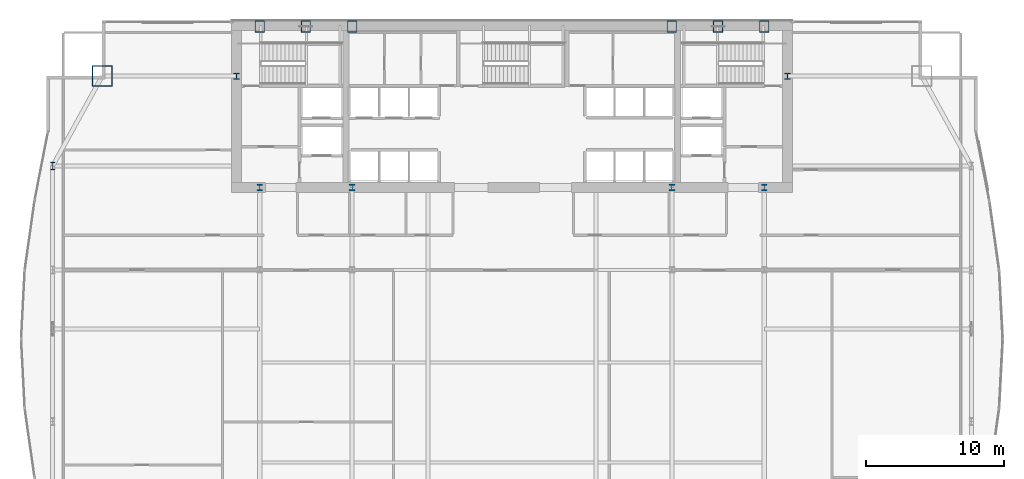
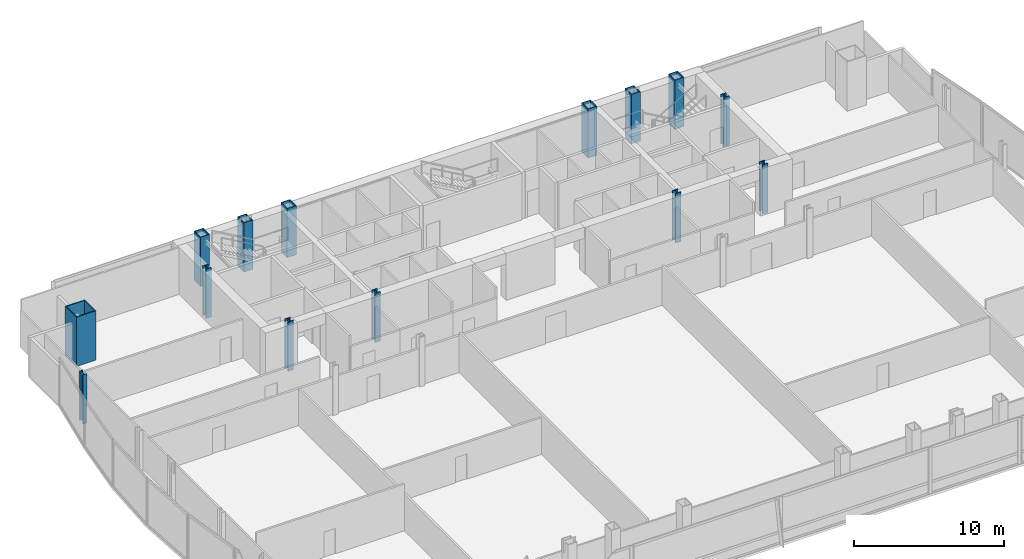
# One storey, part 3 of 34: 14 columns.
"""IFC4 building model written with IfcOpenShell, lengths in metres."""

import ifcopenshell
import ifcopenshell.guid

model = None  # the IFC model being written
_history = None  # IfcOwnerHistory: only IFC2X3 demands one
_inside = {}  # id of a spatial element -> (the spatial element, [elements in it])
_under = {}  # id of a project, library or spatial element -> (it, [spatial elements below it])
_declared = {}  # id of a project -> (the project, [libraries it declares])
_typed = {}  # id of a type object -> (the type object, [elements of that type])
_made_of = {}  # id of a material, layer set ... -> (it, [elements and type objects made of it])


def new_model(schema):
    """Start an empty IFC model of exactly this schema.

    Asked for "IFC4X3", IfcOpenShell would pick the latest addendum, in which some entities
    have other attributes; the version numbers below select the first issue.
    IFC2X3 requires an IfcOwnerHistory on every rooted entity: one is made here for all.
    """
    global model, _history
    if schema == "IFC4X3":
        model = ifcopenshell.file(schema_version=(4, 3, 0, 0))
    else:
        model = ifcopenshell.file(schema=schema)
    _inside.clear()
    _under.clear()
    _declared.clear()
    _typed.clear()
    _made_of.clear()
    _history = None
    if model.schema == "IFC2X3":
        org = make("IfcOrganization", Name="unknown")
        user = make(
            "IfcPersonAndOrganization",
            ThePerson=make("IfcPerson", FamilyName="unknown"),
            TheOrganization=org,
        )
        app = make(
            "IfcApplication",
            ApplicationDeveloper=org,
            Version="unknown",
            ApplicationFullName="unknown",
            ApplicationIdentifier="unknown",
        )
        _history = make(
            "IfcOwnerHistory",
            OwningUser=user,
            OwningApplication=app,
            ChangeAction="ADDED",
            CreationDate=0,
        )
    return model


def make(cls, **values):
    """One entity of the class cls with the attributes given. An attribute that is None is left unset."""
    return model.create_entity(
        cls, **{name: value for name, value in values.items() if value is not None}
    )


def rooted(cls, **values):
    """An entity with a GlobalId (a new one), such as an element, a storey or a relation."""
    return make(cls, GlobalId=ifcopenshell.guid.new(), OwnerHistory=_history, **values)


def si_unit(unit_type, name, prefix=None):
    """IfcSIUnit, for example si_unit("LENGTHUNIT", "METRE", prefix="MILLI")."""
    return make("IfcSIUnit", UnitType=unit_type, Prefix=prefix, Name=name)


def assignment(units):
    """IfcUnitAssignment: the units of a project."""
    return None if units is None else make("IfcUnitAssignment", Units=units)


def point(xyz):
    """IfcCartesianPoint."""
    return None if xyz is None else make("IfcCartesianPoint", Coordinates=xyz)


def direction(xyz):
    """IfcDirection."""
    return None if xyz is None else make("IfcDirection", DirectionRatios=xyz)


def frame(location, z_axis=None, x_axis=None):
    """IfcAxis2Placement3D, a coordinate frame: its origin and axes. An axis left out is left unset."""
    return make(
        "IfcAxis2Placement3D",
        Location=point(location),
        Axis=direction(z_axis),
        RefDirection=direction(x_axis),
    )


def frame_2d(location, x_axis=None):
    """IfcAxis2Placement2D, a coordinate frame in the plane: its origin and x axis."""
    return make(
        "IfcAxis2Placement2D", Location=point(location), RefDirection=direction(x_axis)
    )


def origin():
    """The frame at (0, 0, 0) with its axes left unset."""
    return frame((0.0, 0.0, 0.0))


def origin_2d():
    """The frame at (0, 0) in the plane with its x axis left unset."""
    return frame_2d((0.0, 0.0))


def place(relative_to, where):
    """IfcLocalPlacement: puts the frame where relative to a parent placement (None: the world)."""
    return make(
        "IfcLocalPlacement", PlacementRelTo=relative_to, RelativePlacement=where
    )


def context(
    kind, dimensions, precision=None, world=None, true_north=None, identifier=None
):
    """IfcGeometricRepresentationContext, for example the 3D "Model" context."""
    return make(
        "IfcGeometricRepresentationContext",
        ContextIdentifier=identifier,
        ContextType=kind,
        CoordinateSpaceDimension=dimensions,
        Precision=precision,
        WorldCoordinateSystem=world,
        TrueNorth=true_north,
    )


def subcontext(parent, identifier, kind, view, scale=None):
    """IfcGeometricRepresentationSubContext, for example "Body" below "Model"."""
    return make(
        "IfcGeometricRepresentationSubContext",
        ContextIdentifier=identifier,
        ContextType=kind,
        ParentContext=parent,
        TargetScale=scale,
        TargetView=view,
    )


def project(units=None, contexts=None):
    """IfcProject with its units and contexts."""
    return rooted(
        "IfcProject",
        Name="project",
        RepresentationContexts=contexts,
        UnitsInContext=assignment(units),
    )


def spatial(cls, under=None, at=None, **own):
    """A site, building, storey or space (cls), placed at a placement, below another one or the project."""
    s = rooted(cls, ObjectPlacement=at, **own)
    if under is not None:
        _under.setdefault(under.id(), (under, []))[1].append(s)
    return s


def profile(cls, at=None, kind="AREA", **sizes):
    """A parametric profile (cls). Its sizes go by their IFC names, for example OverallWidth=200.0."""
    return make(cls, ProfileType=kind, Position=at, **sizes)


def hollow_rectangle(**sizes):
    """IfcRectangleHollowProfileDef."""
    return profile("IfcRectangleHollowProfileDef", **sizes)


def i_section(**sizes):
    """IfcIShapeProfileDef."""
    return profile("IfcIShapeProfileDef", **sizes)


def extrude(swept, where, along, depth):
    """IfcExtrudedAreaSolid: the profile swept, set in the frame where, extruded along a direction by depth."""
    return make(
        "IfcExtrudedAreaSolid",
        SweptArea=swept,
        Position=where,
        ExtrudedDirection=direction(along),
        Depth=depth,
    )


def shape(context_of_items, identifier, shape_type, items):
    """IfcShapeRepresentation: the items that make up one representation, for example the "Body"."""
    return make(
        "IfcShapeRepresentation",
        ContextOfItems=context_of_items,
        RepresentationIdentifier=identifier,
        RepresentationType=shape_type,
        Items=items,
    )


def material(Name=None, Category=None):
    """IfcMaterial."""
    return make("IfcMaterial", Name=Name, Category=Category)


def material_profile(
    of_material, cross_section, Name=None, Category=None, Priority=None
):
    """IfcMaterialProfile: a cross section and its material."""
    return make(
        "IfcMaterialProfile",
        Name=Name,
        Material=of_material,
        Profile=cross_section,
        Priority=Priority,
        Category=Category,
    )


def profile_set(profiles, Name=None, composite=None):
    """IfcMaterialProfileSet."""
    return make(
        "IfcMaterialProfileSet",
        Name=Name,
        MaterialProfiles=profiles,
        CompositeProfile=composite,
    )


def made_of(thing, what):
    """Note that an element or type object is made of a material, layer set ...; save() writes the relation."""
    if what is not None:
        _made_of.setdefault(what.id(), (what, []))[1].append(thing)
    return thing


def type_object(cls, material=None, **own):
    """A type object (cls), such as IfcWallType, which elements share."""
    return made_of(rooted(cls, **own), material)


def element(
    cls,
    number,
    at=None,
    inside=None,
    cuts=None,
    type_object=None,
    material=None,
    context=None,
    identifier="Body",
    shape_type=None,
    held_by="IfcProductDefinitionShape",
    body=None,
    shapes=None,
    **own,
):
    """One element of the class cls, such as IfcWall. Its Tag is "e" and its number.

    at: its placement. inside: the storey or other place that contains it. cuts: it is an
    opening in that element (IfcRelVoidsElement). A single representation is given by context,
    identifier, shape_type and body (its items); several are given by shapes. held_by: the class
    of the entity that holds the representations. save() writes the other relations.
    """
    e = rooted(cls, Tag="e%d" % number, ObjectPlacement=at, **own)
    if body is not None:
        shapes = [shape(context, identifier, shape_type, body)]
    if shapes is not None:
        e.Representation = make(held_by, Representations=shapes)
    if inside is not None:
        _inside.setdefault(inside.id(), (inside, []))[1].append(e)
    if cuts is not None:
        rooted(
            "IfcRelVoidsElement", RelatingBuildingElement=cuts, RelatedOpeningElement=e
        )
    if type_object is not None:
        _typed.setdefault(type_object.id(), (type_object, []))[1].append(e)
    return made_of(e, material)


def aggregate(whole, parts):
    """IfcRelAggregates: a whole, such as a stair, and the parts it consists of."""
    return rooted("IfcRelAggregates", RelatingObject=whole, RelatedObjects=parts)


def save(model, path):
    """Write the relations noted so far, then the file.

    IfcRelAggregates (storeys below a building ...), IfcRelContainedInSpatialStructure (elements
    in a storey), IfcRelDefinesByType, IfcRelAssociatesMaterial and IfcRelDeclares: one each for
    every whole, place, type object, material and project.
    """
    for whole, parts in _under.values():
        aggregate(whole, parts)
    for where, things in _inside.values():
        rooted(
            "IfcRelContainedInSpatialStructure",
            RelatedElements=things,
            RelatingStructure=where,
        )
    for kind, things in _typed.values():
        rooted("IfcRelDefinesByType", RelatedObjects=things, RelatingType=kind)
    for what, things in _made_of.values():
        rooted("IfcRelAssociatesMaterial", RelatedObjects=things, RelatingMaterial=what)
    for by, libraries in _declared.values():
        rooted("IfcRelDeclares", RelatingContext=by, RelatedDefinitions=libraries)
    model.write(path)


model = new_model("IFC4")

# Units and contexts
model_context = context("Model", 3, precision=1e-05, world=origin(), true_north=direction((0.0, 1.0)))
body_context = subcontext(model_context, "Body", "Model", "MODEL_VIEW")
ifc_project = project(units=[si_unit("LENGTHUNIT", "METRE"), si_unit("AREAUNIT", "SQUARE_METRE"), si_unit("VOLUMEUNIT", "CUBIC_METRE"), si_unit("PLANEANGLEUNIT", "RADIAN"), si_unit("MASSUNIT", "GRAM", prefix="KILO")], contexts=[model_context])

# Site, building, storey
site_placement = place(None, origin())
site = spatial("IfcSite", under=ifc_project, at=site_placement, CompositionType="ELEMENT")
building_placement = place(site_placement, origin())
building = spatial("IfcBuilding", under=site, at=building_placement, Name="Khoronbel Lancet Exchange", CompositionType="ELEMENT")
storey_placement = place(building_placement, frame((0.0, 0.0, 102.60009765625)))
storey = spatial("IfcBuildingStorey", under=building, at=storey_placement, Name="L24", CompositionType="ELEMENT", Elevation=102.60009765625)

# Columns
ifc_material_1 = material(Name="Steel S460", Category="steel")
ifc_material_profile_1 = material_profile(ifc_material_1, hollow_rectangle(XDim=0.699951171875, YDim=0.85009765625, WallThickness=0.050048828125, at=origin_2d()), Name="BOX 850x700x50")
ifc_profile_set_1 = profile_set([ifc_material_profile_1], Name="Steel S460")
column_type_1 = type_object("IfcColumnType", Name="COL-EC2", PredefinedType="COLUMN", material=ifc_profile_set_1)
for number, where, z_axis, x_axis, name in (
    (1, (18.22509765625, 53.280029296875, 0.0), (0.0, 0.0, 1.0), (1.0, 0.0, 0.0), "Structural column NC-W1 L24"),
    (2, (21.5625, 53.280029296875, 0.0), (0.0, 0.0, 1.0), (1.0, 0.0, 0.0), "Structural column NC-WM L24"),
    (3, (24.89990234375, 53.280029296875, 0.0), (0.0, 0.0, 1.0), (1.0, 0.0, 0.0), "Structural column NC-W2 L24"),
    (4, (48.0, 53.280029296875, 0.0), (0.0, 0.0, 1.0), (1.0, 0.0, 0.0), "Structural column NC-E1 L24"),
    (5, (51.33740234375, 53.280029296875, 0.0), (0.0, 0.0, 1.0), (1.0, 0.0, 0.0), "Structural column NC-EM L24"),
    (6, (54.675048828125, 53.280029296875, 0.0), (0.0, 0.0, 1.0), (1.0, 0.0, 0.0), "Structural column NC-E2 L24"),
):
    element("IfcColumn", number, at=place(storey_placement, frame(where, z_axis=z_axis, x_axis=x_axis)), inside=storey, type_object=column_type_1, Name=name, PredefinedType="COLUMN", context=body_context, shape_type="SweptSolid", body=[
        extrude(hollow_rectangle(XDim=0.699951171875, YDim=0.85009765625, WallThickness=0.050048828125, at=origin_2d()), origin(), (0.0, 0.0, 1.0), 4.0),
    ])
ifc_material_profile_2 = material_profile(ifc_material_1, i_section(OverallWidth=0.424072265625, OverallDepth=0.47412109375, WebThickness=0.047607421875, FlangeThickness=0.076904296875, at=origin_2d()), Name="HD 400x634")
ifc_profile_set_2 = profile_set([ifc_material_profile_2], Name="Steel S460")
column_type_2 = type_object("IfcColumnType", Name="COL-IC1", PredefinedType="COLUMN", material=ifc_profile_set_2)
for number, where, z_axis, x_axis, name in (
    (7, (16.550048828125, 49.699951171875, 0.0), (0.0, 0.0, 1.0), (1.0, 0.0, 0.0), "Core-flank plumb transfer column CFW L24"),
    (8, (56.35009765625, 49.699951171875, 0.0), (0.0, 0.0, 1.0), (1.0, 0.0, 0.0), "Core-flank plumb transfer column CFE L24"),
    (9, (18.22509765625, 41.64990234375, 0.0), (0.0, 0.0, 1.0), (1.0, 0.0, 0.0), "Core-embedded steel column CTC1 L24"),
    (10, (24.89990234375, 41.64990234375, 0.0), (0.0, 0.0, 1.0), (1.0, 0.0, 0.0), "Core-embedded steel column CTC2 L24"),
    (11, (48.0, 41.64990234375, 0.0), (0.0, 0.0, 1.0), (1.0, 0.0, 0.0), "Core-embedded steel column CTC3 L24"),
    (12, (54.675048828125, 41.64990234375, 0.0), (0.0, 0.0, 1.0), (1.0, 0.0, 0.0), "Core-embedded steel column CTC4 L24"),
):
    element("IfcColumn", number, at=place(storey_placement, frame(where, z_axis=z_axis, x_axis=x_axis)), inside=storey, type_object=column_type_2, Name=name, PredefinedType="COLUMN", context=body_context, shape_type="SweptSolid", body=[
        extrude(i_section(OverallWidth=0.424072265625, OverallDepth=0.47412109375, WebThickness=0.047607421875, FlangeThickness=0.076904296875, at=origin_2d()), origin(), (0.0, 0.0, 1.0), 4.0),
    ])
ifc_material_2 = material(Name="Steel S355", Category="steel")
ifc_material_profile_3 = material_profile(ifc_material_2, i_section(OverallWidth=0.300048828125, OverallDepth=0.550048828125, WebThickness=0.014892578125, FlangeThickness=0.029052734375, at=origin_2d()), Name="HEB 550")
ifc_profile_set_3 = profile_set([ifc_material_profile_3], Name="Steel S355")
column_type_3 = type_object("IfcColumnType", Name="COL-LC1", PredefinedType="COLUMN", material=ifc_profile_set_3)
column_1_placement = place(storey_placement, frame((3.27001953125, 43.199951171875, 0.0), z_axis=(0.0, 0.0, 1.0), x_axis=(1.0, 0.0, 0.0)))
element("IfcColumn", 13, at=column_1_placement, inside=storey, type_object=column_type_3, Name="Structural column WC-4 L24", PredefinedType="COLUMN", context=body_context, shape_type="SweptSolid", body=[
    extrude(i_section(OverallWidth=0.300048828125, OverallDepth=0.550048828125, WebThickness=0.014892578125, FlangeThickness=0.029052734375, at=origin_2d()), origin(), (0.0, 0.0, 1.0), 4.0),
])
ifc_material_profile_4 = material_profile(ifc_material_1, hollow_rectangle(XDim=1.5, YDim=1.5, WallThickness=0.070068359375, at=origin_2d()), Name="BOX 1500x1500x70")
ifc_profile_set_4 = profile_set([ifc_material_profile_4], Name="Steel S460")
column_type_4 = type_object("IfcColumnType", Name="COL-MC3", PredefinedType="COLUMN", material=ifc_profile_set_4)
column_2_placement = place(storey_placement, frame((6.85009765625, 49.699951171875, 0.0), z_axis=(0.0, 0.0, 1.0), x_axis=(1.0, 0.0, 0.0)))
element("IfcColumn", 14, at=column_2_placement, inside=storey, type_object=column_type_4, Name="Structural column MC-NW L24", PredefinedType="COLUMN", context=body_context, shape_type="SweptSolid", body=[
    extrude(hollow_rectangle(XDim=1.5, YDim=1.5, WallThickness=0.070068359375, at=origin_2d()), origin(), (0.0, 0.0, 1.0), 4.0),
])

save(model, "model.ifc")
